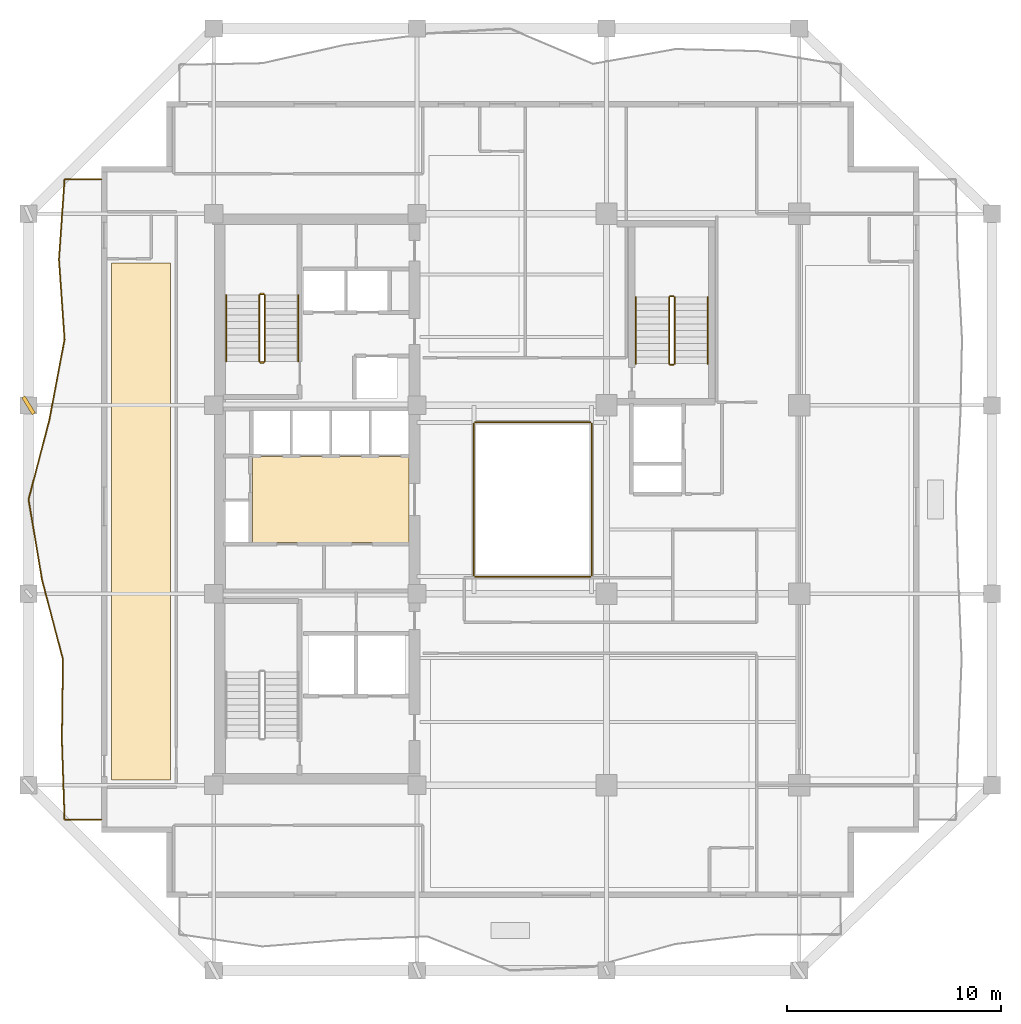
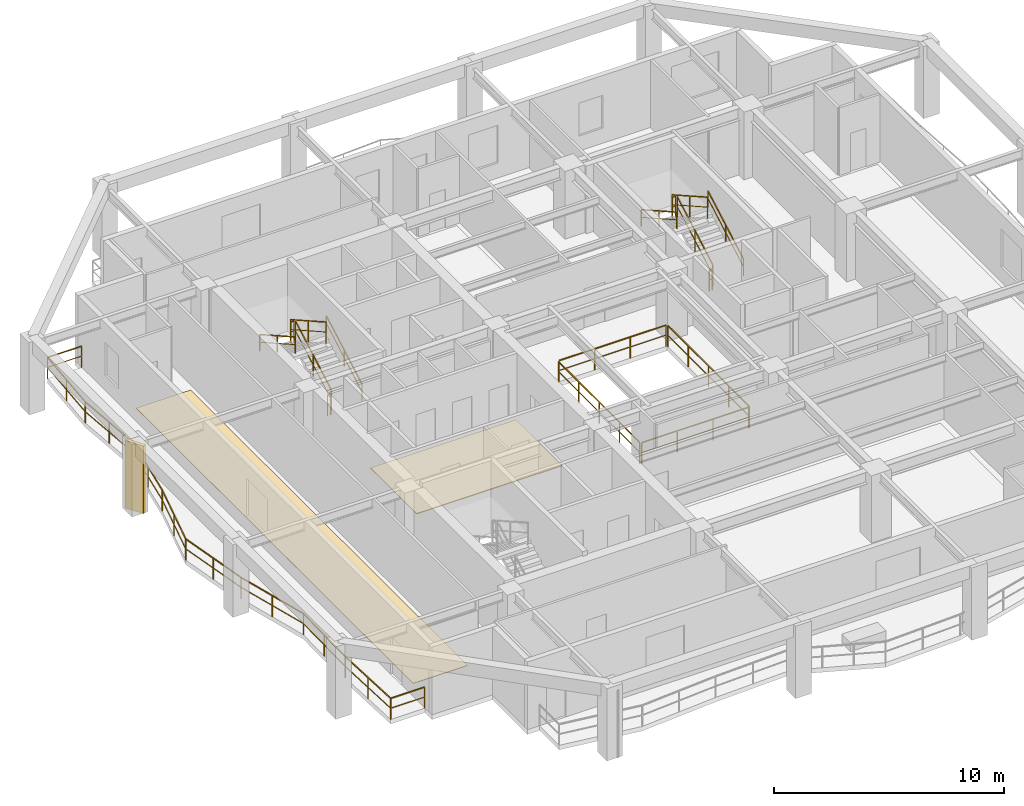
# One storey, part 8 of 10: 17 railings, 2 coverings, 1 shading device.
"""IFC4 building model written with IfcOpenShell, lengths in metres."""

from ifc_helpers import new_model, si_unit, direction, frame, origin, origin_2d, place, context, subcontext, project, spatial, polyline, rectangle, outline, extrude, material, layer, layer_set, type_object, element, save


model = new_model("IFC4")

# Units and contexts
model_context = context("Model", 3, precision=1e-05, world=origin(), true_north=direction((0.0, 1.0)))
body_context = subcontext(model_context, "Body", "Model", "MODEL_VIEW")
ifc_project = project(units=[si_unit("LENGTHUNIT", "METRE"), si_unit("AREAUNIT", "SQUARE_METRE"), si_unit("VOLUMEUNIT", "CUBIC_METRE"), si_unit("PLANEANGLEUNIT", "RADIAN"), si_unit("MASSUNIT", "GRAM", prefix="KILO")], contexts=[model_context])

# Site, building, storey
site_placement = place(None, origin())
site = spatial("IfcSite", under=ifc_project, at=site_placement, CompositionType="ELEMENT")
building_placement = place(site_placement, origin())
building = spatial("IfcBuilding", under=site, at=building_placement, Name="Kundavana Baori Tower", CompositionType="ELEMENT")
storey_placement = place(building_placement, frame((0.0, 0.0, 107.85009765625)))
storey = spatial("IfcBuildingStorey", under=building, at=storey_placement, Name="L25", CompositionType="ELEMENT", Elevation=107.85009765625)

# Coverings
ifc_material_1 = material(Name="Honed Kota Stone and Terrazzo Flooring", Category="masonry")
ifc_layer_1 = layer(ifc_material_1, 0.0400390625, Name="COV-FLR-TERR-40")
ifc_layer_set_1 = layer_set([ifc_layer_1], Name="Honed Kota Stone and Terrazzo Flooring")
covering_type_1 = type_object("IfcCoveringType", Name="COV-FLR-TERR-40", PredefinedType="FLOORING", material=ifc_layer_set_1)
covering_1_placement = place(storey_placement, origin())
element("IfcCovering", 1, at=covering_1_placement, inside=storey, type_object=covering_type_1, Name="L25 Core Lift Lobby Kota Stone Flooring", PredefinedType="FLOORING", context=body_context, shape_type="SweptSolid", body=[
    extrude(outline(polyline([(17.25, 26.580078125), (24.580078125, 26.580078125), (24.580078125, 30.60009765625), (17.25, 30.60009765625), (17.25, 26.580078125)])), origin(), (0.0, 0.0, 1.0), 0.039794921875),
])
ifc_material_2 = material(Name="Honed Kota Stone and Terrazzo Flooring", Category="masonry")
ifc_layer_2 = layer(ifc_material_2, 0.030029296875, Name="COV-INT-FLR")
ifc_layer_set_2 = layer_set([ifc_layer_2], Name="Honed Kota Stone and Terrazzo Flooring")
covering_type_2 = type_object("IfcCoveringType", Name="COV-INT-FLR", PredefinedType="FLOORING", material=ifc_layer_set_2)
covering_2_placement = place(storey_placement, origin())
element("IfcCovering", 2, at=covering_2_placement, inside=storey, type_object=covering_type_2, Name="L25 Room Finished Stone Flooring 1", PredefinedType="FLOORING", context=body_context, shape_type="SweptSolid", body=[
    extrude(outline(polyline([(10.679931640625, 15.5), (13.419921875, 15.5), (13.419921875, 39.64990234375), (10.679931640625, 39.64990234375), (10.679931640625, 15.5)])), origin(), (0.0, 0.0, 1.0), 0.02978515625),
])

# Railings
ifc_material_3 = material(Name="Architectural Patinated Bronze Metalwork")
railing_type_1 = type_object("IfcRailingType", Name="RL-BAL-1150", PredefinedType="BALUSTRADE", material=ifc_material_3)
railing_1_placement = place(storey_placement, frame((10.199951171875, 13.64990234375, 0.0)))
element("IfcRailing", 3, at=railing_1_placement, inside=storey, type_object=railing_type_1, Name="L25 Loggia Balcony Balustrade W", PredefinedType="BALUSTRADE", context=body_context, shape_type="SweptSolid", body=[
    extrude(rectangle(XDim=0.048095703125, YDim=0.048095703125, at=origin_2d()), frame((0.0, 0.0, 1.1259765625), z_axis=(-1.0, 0.0, 0.0), x_axis=(0.0, -1.0, 0.0)), (0.0, 0.0, 1.0), 1.719970703125),
    extrude(rectangle(XDim=0.03125, YDim=0.03125, at=origin_2d()), frame((0.0, 0.0, 0.597900390625), z_axis=(-1.0, 0.0, 0.0), x_axis=(0.0, -1.0, 0.0)), (0.0, 0.0, 1.0), 1.719970703125),
    extrude(rectangle(XDim=0.048095703125, YDim=0.048095703125, at=origin_2d()), frame((-1.719970703125, 0.0, 1.1259765625), z_axis=(-0.034212663327, 0.999414575473, 0.0), x_axis=(-0.999414575473, -0.034212663327, 0.0)), (0.0, 0.0, 1.0), 3.7392578125),
    extrude(rectangle(XDim=0.03125, YDim=0.03125, at=origin_2d()), frame((-1.719970703125, 0.0, 0.597900390625), z_axis=(-0.034212663327, 0.999414575473, 0.0), x_axis=(-0.999414575473, -0.034212663327, 0.0)), (0.0, 0.0, 1.0), 3.7392578125),
    extrude(rectangle(XDim=0.048095703125, YDim=0.048095703125, at=origin_2d()), frame((-1.847900390625, 3.737060546875, 1.1259765625), z_axis=(0.014171393705, 0.999899580758, 0.0), x_axis=(-0.999899580758, 0.014171393705, 0.0)), (0.0, 0.0, 1.0), 3.738525390625),
    extrude(rectangle(XDim=0.03125, YDim=0.03125, at=origin_2d()), frame((-1.847900390625, 3.737060546875, 0.597900390625), z_axis=(0.014171393705, 0.999899580758, 0.0), x_axis=(-0.999899580758, 0.014171393705, 0.0)), (0.0, 0.0, 1.0), 3.738525390625),
    extrude(rectangle(XDim=0.048095703125, YDim=0.048095703125, at=origin_2d()), frame((-1.794921875, 7.47509765625, 1.1259765625), z_axis=(-0.253892955805, 0.967232323174, 0.0), x_axis=(-0.967232323174, -0.253892955805, 0.0)), (0.0, 0.0, 1.0), 3.86376953125),
    extrude(rectangle(XDim=0.03125, YDim=0.03125, at=origin_2d()), frame((-1.794921875, 7.47509765625, 0.597900390625), z_axis=(-0.253892955805, 0.967232323174, 0.0), x_axis=(-0.967232323174, -0.253892955805, 0.0)), (0.0, 0.0, 1.0), 3.86376953125),
    extrude(rectangle(XDim=0.048095703125, YDim=0.048095703125, at=origin_2d()), frame((-2.77587890625, 11.212158203125, 1.1259765625), z_axis=(-0.164660147873, 0.986350361536, 0.0), x_axis=(-0.986350361536, -0.164660147873, 0.0)), (0.0, 0.0, 1.0), 3.789794921875),
    extrude(rectangle(XDim=0.03125, YDim=0.03125, at=origin_2d()), frame((-2.77587890625, 11.212158203125, 0.597900390625), z_axis=(-0.164660147873, 0.986350361536, 0.0), x_axis=(-0.986350361536, -0.164660147873, 0.0)), (0.0, 0.0, 1.0), 3.789794921875),
    extrude(rectangle(XDim=0.048095703125, YDim=0.048095703125, at=origin_2d()), frame((-3.39990234375, 14.9501953125, 1.1259765625), z_axis=(0.252192835957, 0.967676998534, 0.0), x_axis=(-0.967676998534, 0.252192835957, 0.0)), (0.0, 0.0, 1.0), 3.861572265625),
    extrude(rectangle(XDim=0.03125, YDim=0.03125, at=origin_2d()), frame((-3.39990234375, 14.9501953125, 0.597900390625), z_axis=(0.252192835957, 0.967676998534, 0.0), x_axis=(-0.967676998534, 0.252192835957, 0.0)), (0.0, 0.0, 1.0), 3.861572265625),
    extrude(rectangle(XDim=0.048095703125, YDim=0.048095703125, at=origin_2d()), frame((-2.426025390625, 18.68701171875, 1.1259765625), z_axis=(0.185354069741, 0.982671801178, 0.0), x_axis=(-0.982671801178, 0.185354069741, 0.0)), (0.0, 0.0, 1.0), 3.803955078125),
    extrude(rectangle(XDim=0.03125, YDim=0.03125, at=origin_2d()), frame((-2.426025390625, 18.68701171875, 0.597900390625), z_axis=(0.185354069741, 0.982671801178, 0.0), x_axis=(-0.982671801178, 0.185354069741, 0.0)), (0.0, 0.0, 1.0), 3.803955078125),
    extrude(rectangle(XDim=0.048095703125, YDim=0.048095703125, at=origin_2d()), frame((-1.720947265625, 22.425048828125, 1.1259765625), z_axis=(-0.069667642632, 0.997570257962, 0.0), x_axis=(-0.997570257962, -0.069667642632, 0.0)), (0.0, 0.0, 1.0), 3.74609375),
    extrude(rectangle(XDim=0.03125, YDim=0.03125, at=origin_2d()), frame((-1.720947265625, 22.425048828125, 0.597900390625), z_axis=(-0.069667642632, 0.997570257962, 0.0), x_axis=(-0.997570257962, -0.069667642632, 0.0)), (0.0, 0.0, 1.0), 3.74609375),
    extrude(rectangle(XDim=0.048095703125, YDim=0.048095703125, at=origin_2d()), frame((-1.98193359375, 26.162109375, 1.1259765625), z_axis=(0.069908874569, 0.997553381658, 0.0), x_axis=(-0.997553381658, 0.069908874569, 0.0)), (0.0, 0.0, 1.0), 3.747314453125),
    extrude(rectangle(XDim=0.03125, YDim=0.03125, at=origin_2d()), frame((-1.98193359375, 26.162109375, 0.597900390625), z_axis=(0.069908874569, 0.997553381658, 0.0), x_axis=(-0.997553381658, 0.069908874569, 0.0)), (0.0, 0.0, 1.0), 3.747314453125),
    extrude(rectangle(XDim=0.048095703125, YDim=0.048095703125, at=origin_2d()), frame((-1.719970703125, 29.900146484375, 1.1259765625), z_axis=(1.0, 0.0, 0.0), x_axis=(0.0, 1.0, 0.0)), (0.0, 0.0, 1.0), 1.719970703125),
    extrude(rectangle(XDim=0.03125, YDim=0.03125, at=origin_2d()), frame((-1.719970703125, 29.900146484375, 0.597900390625), z_axis=(1.0, 0.0, 0.0), x_axis=(0.0, 1.0, 0.0)), (0.0, 0.0, 1.0), 1.719970703125),
    extrude(rectangle(XDim=0.0419921875, YDim=0.0419921875, at=origin_2d()), origin(), (0.0, 0.0, 1.0), 1.101806640625),
    extrude(rectangle(XDim=0.0419921875, YDim=0.0419921875, at=origin_2d()), frame((-1.719970703125, 0.0, 0.0)), (0.0, 0.0, 1.0), 1.101806640625),
    extrude(rectangle(XDim=0.0419921875, YDim=0.0419921875, at=origin_2d()), frame((-1.783935546875, 1.86865234375, 0.0)), (0.0, 0.0, 1.0), 1.101806640625),
    extrude(rectangle(XDim=0.0419921875, YDim=0.0419921875, at=origin_2d()), frame((-1.847900390625, 3.737060546875, 0.0)), (0.0, 0.0, 1.0), 1.101806640625),
    extrude(rectangle(XDim=0.0419921875, YDim=0.0419921875, at=origin_2d()), frame((-1.8212890625, 5.60595703125, 0.0)), (0.0, 0.0, 1.0), 1.101806640625),
    extrude(rectangle(XDim=0.0419921875, YDim=0.0419921875, at=origin_2d()), frame((-1.794921875, 7.47509765625, 0.0)), (0.0, 0.0, 1.0), 1.101806640625),
    extrude(rectangle(XDim=0.0419921875, YDim=0.0419921875, at=origin_2d()), frame((-2.285400390625, 9.34375, 0.0)), (0.0, 0.0, 1.0), 1.101806640625),
    extrude(rectangle(XDim=0.0419921875, YDim=0.0419921875, at=origin_2d()), frame((-2.77587890625, 11.212158203125, 0.0)), (0.0, 0.0, 1.0), 1.101806640625),
    extrude(rectangle(XDim=0.0419921875, YDim=0.0419921875, at=origin_2d()), frame((-3.087890625, 13.0810546875, 0.0)), (0.0, 0.0, 1.0), 1.101806640625),
    extrude(rectangle(XDim=0.0419921875, YDim=0.0419921875, at=origin_2d()), frame((-3.39990234375, 14.9501953125, 0.0)), (0.0, 0.0, 1.0), 1.101806640625),
    extrude(rectangle(XDim=0.0419921875, YDim=0.0419921875, at=origin_2d()), frame((-2.9130859375, 16.818603515625, 0.0)), (0.0, 0.0, 1.0), 1.101806640625),
    extrude(rectangle(XDim=0.0419921875, YDim=0.0419921875, at=origin_2d()), frame((-2.426025390625, 18.68701171875, 0.0)), (0.0, 0.0, 1.0), 1.101806640625),
    extrude(rectangle(XDim=0.0419921875, YDim=0.0419921875, at=origin_2d()), frame((-2.073486328125, 20.55615234375, 0.0)), (0.0, 0.0, 1.0), 1.101806640625),
    extrude(rectangle(XDim=0.0419921875, YDim=0.0419921875, at=origin_2d()), frame((-1.720947265625, 22.425048828125, 0.0)), (0.0, 0.0, 1.0), 1.101806640625),
    extrude(rectangle(XDim=0.0419921875, YDim=0.0419921875, at=origin_2d()), frame((-1.8515625, 24.29345703125, 0.0)), (0.0, 0.0, 1.0), 1.101806640625),
    extrude(rectangle(XDim=0.0419921875, YDim=0.0419921875, at=origin_2d()), frame((-1.98193359375, 26.162109375, 0.0)), (0.0, 0.0, 1.0), 1.101806640625),
    extrude(rectangle(XDim=0.0419921875, YDim=0.0419921875, at=origin_2d()), frame((-1.85107421875, 28.03125, 0.0)), (0.0, 0.0, 1.0), 1.101806640625),
    extrude(rectangle(XDim=0.0419921875, YDim=0.0419921875, at=origin_2d()), frame((-1.719970703125, 29.900146484375, 0.0)), (0.0, 0.0, 1.0), 1.101806640625),
    extrude(rectangle(XDim=0.0419921875, YDim=0.0419921875, at=origin_2d()), frame((0.0, 29.900146484375, 0.0)), (0.0, 0.0, 1.0), 1.101806640625),
])
ifc_material_4 = material(Name="Architectural Patinated Bronze Metalwork")
railing_type_2 = type_object("IfcRailingType", Name="RL-GRD-1150", PredefinedType="GUARDRAIL", material=ifc_material_4)
railing_2_placement = place(storey_placement, frame((17.840087890625, 35.050048828125, 0.1748046875)))
element("IfcRailing", 4, at=railing_2_placement, inside=storey, type_object=railing_type_2, Name="L25 ST2 stair guard 1", PredefinedType="GUARDRAIL", context=body_context, shape_type="SweptSolid", body=[
    extrude(rectangle(XDim=0.048095703125, YDim=0.048095703125, at=origin_2d()), frame((0.0, 0.0, 1.1259765625), z_axis=(0.0, 0.870814364268, 0.491611984175), x_axis=(-1.0, 0.0, 0.0)), (0.0, 0.0, 1.0), 3.559814453125),
    extrude(rectangle(XDim=0.03125, YDim=0.03125, at=origin_2d()), frame((0.0, 0.0, 0.597900390625), z_axis=(0.0, 0.870814364268, 0.491611984175), x_axis=(-1.0, 0.0, 0.0)), (0.0, 0.0, 1.0), 3.559814453125),
    extrude(rectangle(XDim=0.0419921875, YDim=0.0419921875, at=origin_2d()), origin(), (0.0, 0.0, 1.0), 1.101806640625),
    extrude(rectangle(XDim=0.0419921875, YDim=0.0419921875, at=origin_2d()), frame((0.0, 1.5498046875, 0.875)), (0.0, 0.0, 1.0), 1.101806640625),
    extrude(rectangle(XDim=0.0419921875, YDim=0.0419921875, at=origin_2d()), frame((0.0, 3.099853515625, 1.75)), (0.0, 0.0, 1.0), 1.101806640625),
])
railing_3_placement = place(storey_placement, frame((17.7900390625, 38.199951171875, 1.9248046875)))
element("IfcRailing", 5, at=railing_3_placement, inside=storey, type_object=railing_type_2, Name="L25 ST2 stair guard 2", PredefinedType="GUARDRAIL", context=body_context, shape_type="SweptSolid", body=[
    extrude(rectangle(XDim=0.048095703125, YDim=0.048095703125, at=origin_2d()), frame((0.0, 0.0, 1.1259765625), z_axis=(-1.0, 0.0, 0.0), x_axis=(0.0, -1.0, 0.0)), (0.0, 0.0, 1.0), 0.16015625),
    extrude(rectangle(XDim=0.03125, YDim=0.03125, at=origin_2d()), frame((0.0, 0.0, 0.597900390625), z_axis=(-1.0, 0.0, 0.0), x_axis=(0.0, -1.0, 0.0)), (0.0, 0.0, 1.0), 0.16015625),
    extrude(rectangle(XDim=0.0419921875, YDim=0.0419921875, at=origin_2d()), origin(), (0.0, 0.0, 1.0), 1.101806640625),
    extrude(rectangle(XDim=0.0419921875, YDim=0.0419921875, at=origin_2d()), frame((-0.16015625, 0.0, 0.0)), (0.0, 0.0, 1.0), 1.101806640625),
])
railing_4_placement = place(storey_placement, frame((17.580078125, 38.14990234375, 2.099853515625)))
element("IfcRailing", 6, at=railing_4_placement, inside=storey, type_object=railing_type_2, Name="L25 ST2 stair guard 3", PredefinedType="GUARDRAIL", context=body_context, shape_type="SweptSolid", body=[
    extrude(rectangle(XDim=0.048095703125, YDim=0.048095703125, at=origin_2d()), frame((0.0, 0.0, 1.1259765625), z_axis=(0.0, -0.870814364268, 0.491611984175), x_axis=(1.0, 0.0, 0.0)), (0.0, 0.0, 1.0), 3.559814453125),
    extrude(rectangle(XDim=0.03125, YDim=0.03125, at=origin_2d()), frame((0.0, 0.0, 0.597900390625), z_axis=(0.0, -0.870814364268, 0.491611984175), x_axis=(1.0, 0.0, 0.0)), (0.0, 0.0, 1.0), 3.559814453125),
    extrude(rectangle(XDim=0.0419921875, YDim=0.0419921875, at=origin_2d()), origin(), (0.0, 0.0, 1.0), 1.101806640625),
    extrude(rectangle(XDim=0.0419921875, YDim=0.0419921875, at=origin_2d()), frame((0.0, -1.5498046875, 0.875)), (0.0, 0.0, 1.0), 1.101806640625),
    extrude(rectangle(XDim=0.0419921875, YDim=0.0419921875, at=origin_2d()), frame((0.0, -3.099853515625, 1.75)), (0.0, 0.0, 1.0), 1.101806640625),
])
railing_5_placement = place(storey_placement, frame((17.7900390625, 35.0, 0.0)))
element("IfcRailing", 7, at=railing_5_placement, inside=storey, type_object=railing_type_2, Name="L25 ST2 stair guard 4", PredefinedType="GUARDRAIL", context=body_context, shape_type="SweptSolid", body=[
    extrude(rectangle(XDim=0.048095703125, YDim=0.048095703125, at=origin_2d()), frame((0.0, 0.0, 1.1259765625), z_axis=(-1.0, 0.0, 0.0), x_axis=(0.0, -1.0, 0.0)), (0.0, 0.0, 1.0), 0.16015625),
    extrude(rectangle(XDim=0.03125, YDim=0.03125, at=origin_2d()), frame((0.0, 0.0, 0.597900390625), z_axis=(-1.0, 0.0, 0.0), x_axis=(0.0, -1.0, 0.0)), (0.0, 0.0, 1.0), 0.16015625),
    extrude(rectangle(XDim=0.0419921875, YDim=0.0419921875, at=origin_2d()), origin(), (0.0, 0.0, 1.0), 1.101806640625),
    extrude(rectangle(XDim=0.0419921875, YDim=0.0419921875, at=origin_2d()), frame((-0.16015625, 0.0, 0.0)), (0.0, 0.0, 1.0), 1.101806640625),
])
railing_6_placement = place(storey_placement, frame((36.97998046875, 34.949951171875, 0.1748046875)))
element("IfcRailing", 8, at=railing_6_placement, inside=storey, type_object=railing_type_2, Name="L25 ST3 stair guard 1", PredefinedType="GUARDRAIL", context=body_context, shape_type="SweptSolid", body=[
    extrude(rectangle(XDim=0.048095703125, YDim=0.048095703125, at=origin_2d()), frame((0.0, 0.0, 1.1259765625), z_axis=(0.0, 0.870830938388, 0.491582624537), x_axis=(-1.0, 0.0, 0.0)), (0.0, 0.0, 1.0), 3.559814453125),
    extrude(rectangle(XDim=0.03125, YDim=0.03125, at=origin_2d()), frame((0.0, 0.0, 0.597900390625), z_axis=(0.0, 0.870830938388, 0.491582624537), x_axis=(-1.0, 0.0, 0.0)), (0.0, 0.0, 1.0), 3.559814453125),
    extrude(rectangle(XDim=0.0419921875, YDim=0.0419921875, at=origin_2d()), origin(), (0.0, 0.0, 1.0), 1.101806640625),
    extrude(rectangle(XDim=0.0419921875, YDim=0.0419921875, at=origin_2d()), frame((0.0, 1.550048828125, 0.875)), (0.0, 0.0, 1.0), 1.101806640625),
    extrude(rectangle(XDim=0.0419921875, YDim=0.0419921875, at=origin_2d()), frame((0.0, 3.10009765625, 1.75)), (0.0, 0.0, 1.0), 1.101806640625),
])
railing_7_placement = place(storey_placement, frame((36.929931640625, 38.10009765625, 1.9248046875)))
element("IfcRailing", 9, at=railing_7_placement, inside=storey, type_object=railing_type_2, Name="L25 ST3 stair guard 2", PredefinedType="GUARDRAIL", context=body_context, shape_type="SweptSolid", body=[
    extrude(rectangle(XDim=0.048095703125, YDim=0.048095703125, at=origin_2d()), frame((0.0, 0.0, 1.1259765625), z_axis=(-1.0, 0.0, 0.0), x_axis=(0.0, -1.0, 0.0)), (0.0, 0.0, 1.0), 0.159912109375),
    extrude(rectangle(XDim=0.03125, YDim=0.03125, at=origin_2d()), frame((0.0, 0.0, 0.597900390625), z_axis=(-1.0, 0.0, 0.0), x_axis=(0.0, -1.0, 0.0)), (0.0, 0.0, 1.0), 0.159912109375),
    extrude(rectangle(XDim=0.0419921875, YDim=0.0419921875, at=origin_2d()), origin(), (0.0, 0.0, 1.0), 1.101806640625),
    extrude(rectangle(XDim=0.0419921875, YDim=0.0419921875, at=origin_2d()), frame((-0.159912109375, 0.0, 0.0)), (0.0, 0.0, 1.0), 1.101806640625),
])
railing_8_placement = place(storey_placement, frame((36.719970703125, 38.050048828125, 2.099853515625)))
element("IfcRailing", 10, at=railing_8_placement, inside=storey, type_object=railing_type_2, Name="L25 ST3 stair guard 3", PredefinedType="GUARDRAIL", context=body_context, shape_type="SweptSolid", body=[
    extrude(rectangle(XDim=0.048095703125, YDim=0.048095703125, at=origin_2d()), frame((0.0, 0.0, 1.1259765625), z_axis=(0.0, -0.870830938388, 0.491582624537), x_axis=(1.0, 0.0, 0.0)), (0.0, 0.0, 1.0), 3.559814453125),
    extrude(rectangle(XDim=0.03125, YDim=0.03125, at=origin_2d()), frame((0.0, 0.0, 0.597900390625), z_axis=(0.0, -0.870830938388, 0.491582624537), x_axis=(1.0, 0.0, 0.0)), (0.0, 0.0, 1.0), 3.559814453125),
    extrude(rectangle(XDim=0.0419921875, YDim=0.0419921875, at=origin_2d()), origin(), (0.0, 0.0, 1.0), 1.101806640625),
    extrude(rectangle(XDim=0.0419921875, YDim=0.0419921875, at=origin_2d()), frame((0.0, -1.550048828125, 0.875)), (0.0, 0.0, 1.0), 1.101806640625),
    extrude(rectangle(XDim=0.0419921875, YDim=0.0419921875, at=origin_2d()), frame((0.0, -3.10009765625, 1.75)), (0.0, 0.0, 1.0), 1.101806640625),
])
railing_9_placement = place(storey_placement, frame((36.929931640625, 34.89990234375, 0.0)))
element("IfcRailing", 11, at=railing_9_placement, inside=storey, type_object=railing_type_2, Name="L25 ST3 stair guard 4", PredefinedType="GUARDRAIL", context=body_context, shape_type="SweptSolid", body=[
    extrude(rectangle(XDim=0.048095703125, YDim=0.048095703125, at=origin_2d()), frame((0.0, 0.0, 1.1259765625), z_axis=(-1.0, 0.0, 0.0), x_axis=(0.0, -1.0, 0.0)), (0.0, 0.0, 1.0), 0.159912109375),
    extrude(rectangle(XDim=0.03125, YDim=0.03125, at=origin_2d()), frame((0.0, 0.0, 0.597900390625), z_axis=(-1.0, 0.0, 0.0), x_axis=(0.0, -1.0, 0.0)), (0.0, 0.0, 1.0), 0.159912109375),
    extrude(rectangle(XDim=0.0419921875, YDim=0.0419921875, at=origin_2d()), origin(), (0.0, 0.0, 1.0), 1.101806640625),
    extrude(rectangle(XDim=0.0419921875, YDim=0.0419921875, at=origin_2d()), frame((-0.159912109375, 0.0, 0.0)), (0.0, 0.0, 1.0), 1.101806640625),
])
railing_10_placement = place(storey_placement, frame((27.659912109375, 25.0, 0.0)))
element("IfcRailing", 12, at=railing_10_placement, inside=storey, type_object=railing_type_2, Name="L25 Atrium Void Perimeter Guardrail S", PredefinedType="GUARDRAIL", context=body_context, shape_type="SweptSolid", body=[
    extrude(rectangle(XDim=0.048095703125, YDim=0.048095703125, at=origin_2d()), frame((0.0, 0.0, 1.1259765625), z_axis=(1.0, 0.0, 0.0), x_axis=(0.0, 1.0, 0.0)), (0.0, 0.0, 1.0), 5.380126953125),
    extrude(rectangle(XDim=0.03125, YDim=0.03125, at=origin_2d()), frame((0.0, 0.0, 0.597900390625), z_axis=(1.0, 0.0, 0.0), x_axis=(0.0, 1.0, 0.0)), (0.0, 0.0, 1.0), 5.380126953125),
    extrude(rectangle(XDim=0.0419921875, YDim=0.0419921875, at=origin_2d()), origin(), (0.0, 0.0, 1.0), 1.101806640625),
    extrude(rectangle(XDim=0.0419921875, YDim=0.0419921875, at=origin_2d()), frame((1.79345703125, 0.0, 0.0)), (0.0, 0.0, 1.0), 1.101806640625),
    extrude(rectangle(XDim=0.0419921875, YDim=0.0419921875, at=origin_2d()), frame((3.586669921875, 0.0, 0.0)), (0.0, 0.0, 1.0), 1.101806640625),
    extrude(rectangle(XDim=0.0419921875, YDim=0.0419921875, at=origin_2d()), frame((5.380126953125, 0.0, 0.0)), (0.0, 0.0, 1.0), 1.101806640625),
])
railing_11_placement = place(storey_placement, frame((33.10009765625, 25.06005859375, 0.0)))
element("IfcRailing", 13, at=railing_11_placement, inside=storey, type_object=railing_type_2, Name="L25 Atrium Void Perimeter Guardrail E", PredefinedType="GUARDRAIL", context=body_context, shape_type="SweptSolid", body=[
    extrude(rectangle(XDim=0.048095703125, YDim=0.048095703125, at=origin_2d()), frame((0.0, 0.0, 1.1259765625), z_axis=(0.0, 1.0, 0.0), x_axis=(-1.0, 0.0, 0.0)), (0.0, 0.0, 1.0), 7.079833984375),
    extrude(rectangle(XDim=0.03125, YDim=0.03125, at=origin_2d()), frame((0.0, 0.0, 0.597900390625), z_axis=(0.0, 1.0, 0.0), x_axis=(-1.0, 0.0, 0.0)), (0.0, 0.0, 1.0), 7.079833984375),
    extrude(rectangle(XDim=0.0419921875, YDim=0.0419921875, at=origin_2d()), origin(), (0.0, 0.0, 1.0), 1.101806640625),
    extrude(rectangle(XDim=0.0419921875, YDim=0.0419921875, at=origin_2d()), frame((0.0, 1.77001953125, 0.0)), (0.0, 0.0, 1.0), 1.101806640625),
    extrude(rectangle(XDim=0.0419921875, YDim=0.0419921875, at=origin_2d()), frame((0.0, 3.5400390625, 0.0)), (0.0, 0.0, 1.0), 1.101806640625),
    extrude(rectangle(XDim=0.0419921875, YDim=0.0419921875, at=origin_2d()), frame((0.0, 5.309814453125, 0.0)), (0.0, 0.0, 1.0), 1.101806640625),
    extrude(rectangle(XDim=0.0419921875, YDim=0.0419921875, at=origin_2d()), frame((0.0, 7.079833984375, 0.0)), (0.0, 0.0, 1.0), 1.101806640625),
])
railing_12_placement = place(storey_placement, frame((33.0400390625, 32.199951171875, 0.0)))
element("IfcRailing", 14, at=railing_12_placement, inside=storey, type_object=railing_type_2, Name="L25 Atrium Void Perimeter Guardrail N", PredefinedType="GUARDRAIL", context=body_context, shape_type="SweptSolid", body=[
    extrude(rectangle(XDim=0.048095703125, YDim=0.048095703125, at=origin_2d()), frame((0.0, 0.0, 1.1259765625), z_axis=(-1.0, 0.0, 0.0), x_axis=(0.0, -1.0, 0.0)), (0.0, 0.0, 1.0), 5.380126953125),
    extrude(rectangle(XDim=0.03125, YDim=0.03125, at=origin_2d()), frame((0.0, 0.0, 0.597900390625), z_axis=(-1.0, 0.0, 0.0), x_axis=(0.0, -1.0, 0.0)), (0.0, 0.0, 1.0), 5.380126953125),
    extrude(rectangle(XDim=0.0419921875, YDim=0.0419921875, at=origin_2d()), origin(), (0.0, 0.0, 1.0), 1.101806640625),
    extrude(rectangle(XDim=0.0419921875, YDim=0.0419921875, at=origin_2d()), frame((-1.79345703125, 0.0, 0.0)), (0.0, 0.0, 1.0), 1.101806640625),
    extrude(rectangle(XDim=0.0419921875, YDim=0.0419921875, at=origin_2d()), frame((-3.586669921875, 0.0, 0.0)), (0.0, 0.0, 1.0), 1.101806640625),
    extrude(rectangle(XDim=0.0419921875, YDim=0.0419921875, at=origin_2d()), frame((-5.380126953125, 0.0, 0.0)), (0.0, 0.0, 1.0), 1.101806640625),
])
railing_13_placement = place(storey_placement, frame((27.60009765625, 32.139892578125, 0.0)))
element("IfcRailing", 15, at=railing_13_placement, inside=storey, type_object=railing_type_2, Name="L25 Atrium Void Perimeter Guardrail W", PredefinedType="GUARDRAIL", context=body_context, shape_type="SweptSolid", body=[
    extrude(rectangle(XDim=0.048095703125, YDim=0.048095703125, at=origin_2d()), frame((0.0, 0.0, 1.1259765625), z_axis=(0.0, -1.0, 0.0), x_axis=(1.0, 0.0, 0.0)), (0.0, 0.0, 1.0), 7.079833984375),
    extrude(rectangle(XDim=0.03125, YDim=0.03125, at=origin_2d()), frame((0.0, 0.0, 0.597900390625), z_axis=(0.0, -1.0, 0.0), x_axis=(1.0, 0.0, 0.0)), (0.0, 0.0, 1.0), 7.079833984375),
    extrude(rectangle(XDim=0.0419921875, YDim=0.0419921875, at=origin_2d()), origin(), (0.0, 0.0, 1.0), 1.101806640625),
    extrude(rectangle(XDim=0.0419921875, YDim=0.0419921875, at=origin_2d()), frame((0.0, -1.77001953125, 0.0)), (0.0, 0.0, 1.0), 1.101806640625),
    extrude(rectangle(XDim=0.0419921875, YDim=0.0419921875, at=origin_2d()), frame((0.0, -3.5400390625, 0.0)), (0.0, 0.0, 1.0), 1.101806640625),
    extrude(rectangle(XDim=0.0419921875, YDim=0.0419921875, at=origin_2d()), frame((0.0, -5.309814453125, 0.0)), (0.0, 0.0, 1.0), 1.101806640625),
    extrude(rectangle(XDim=0.0419921875, YDim=0.0419921875, at=origin_2d()), frame((0.0, -7.079833984375, 0.0)), (0.0, 0.0, 1.0), 1.101806640625),
])
ifc_material_5 = material(Name="Architectural Patinated Bronze Metalwork")
railing_type_3 = type_object("IfcRailingType", Name="RL-HND-920", PredefinedType="HANDRAIL", material=ifc_material_5)
railing_14_placement = place(storey_placement, frame((19.389892578125, 35.050048828125, 0.1748046875)))
element("IfcRailing", 16, at=railing_14_placement, inside=storey, type_object=railing_type_3, Name="L25 ST2 stair handrail 1", PredefinedType="HANDRAIL", context=body_context, shape_type="SweptSolid", body=[
    extrude(rectangle(XDim=0.048095703125, YDim=0.048095703125, at=origin_2d()), frame((0.0, 0.0, 0.8759765625), z_axis=(0.0, 0.870814364268, 0.491611984175), x_axis=(-1.0, 0.0, 0.0)), (0.0, 0.0, 1.0), 3.559814453125),
    extrude(rectangle(XDim=0.03125, YDim=0.03125, at=origin_2d()), frame((0.0, 0.0, 0.468017578125), z_axis=(0.0, 0.870814364268, 0.491611984175), x_axis=(-1.0, 0.0, 0.0)), (0.0, 0.0, 1.0), 3.559814453125),
    extrude(rectangle(XDim=0.0419921875, YDim=0.0419921875, at=origin_2d()), origin(), (0.0, 0.0, 1.0), 0.851806640625),
    extrude(rectangle(XDim=0.0419921875, YDim=0.0419921875, at=origin_2d()), frame((0.0, 1.5498046875, 0.875)), (0.0, 0.0, 1.0), 0.851806640625),
    extrude(rectangle(XDim=0.0419921875, YDim=0.0419921875, at=origin_2d()), frame((0.0, 3.099853515625, 1.75)), (0.0, 0.0, 1.0), 0.851806640625),
])
railing_15_placement = place(storey_placement, frame((16.030029296875, 38.14990234375, 2.099853515625)))
element("IfcRailing", 17, at=railing_15_placement, inside=storey, type_object=railing_type_3, Name="L25 ST2 stair handrail 2", PredefinedType="HANDRAIL", context=body_context, shape_type="SweptSolid", body=[
    extrude(rectangle(XDim=0.048095703125, YDim=0.048095703125, at=origin_2d()), frame((0.0, 0.0, 0.8759765625), z_axis=(0.0, -0.870814364268, 0.491611984175), x_axis=(1.0, 0.0, 0.0)), (0.0, 0.0, 1.0), 3.559814453125),
    extrude(rectangle(XDim=0.03125, YDim=0.03125, at=origin_2d()), frame((0.0, 0.0, 0.468017578125), z_axis=(0.0, -0.870814364268, 0.491611984175), x_axis=(1.0, 0.0, 0.0)), (0.0, 0.0, 1.0), 3.559814453125),
    extrude(rectangle(XDim=0.0419921875, YDim=0.0419921875, at=origin_2d()), origin(), (0.0, 0.0, 1.0), 0.851806640625),
    extrude(rectangle(XDim=0.0419921875, YDim=0.0419921875, at=origin_2d()), frame((0.0, -1.5498046875, 0.875)), (0.0, 0.0, 1.0), 0.851806640625),
    extrude(rectangle(XDim=0.0419921875, YDim=0.0419921875, at=origin_2d()), frame((0.0, -3.099853515625, 1.75)), (0.0, 0.0, 1.0), 0.851806640625),
])
railing_16_placement = place(storey_placement, frame((38.530029296875, 34.949951171875, 0.1748046875)))
element("IfcRailing", 18, at=railing_16_placement, inside=storey, type_object=railing_type_3, Name="L25 ST3 stair handrail 1", PredefinedType="HANDRAIL", context=body_context, shape_type="SweptSolid", body=[
    extrude(rectangle(XDim=0.048095703125, YDim=0.048095703125, at=origin_2d()), frame((0.0, 0.0, 0.8759765625), z_axis=(0.0, 0.870830938388, 0.491582624537), x_axis=(-1.0, 0.0, 0.0)), (0.0, 0.0, 1.0), 3.559814453125),
    extrude(rectangle(XDim=0.03125, YDim=0.03125, at=origin_2d()), frame((0.0, 0.0, 0.468017578125), z_axis=(0.0, 0.870830938388, 0.491582624537), x_axis=(-1.0, 0.0, 0.0)), (0.0, 0.0, 1.0), 3.559814453125),
    extrude(rectangle(XDim=0.0419921875, YDim=0.0419921875, at=origin_2d()), origin(), (0.0, 0.0, 1.0), 0.851806640625),
    extrude(rectangle(XDim=0.0419921875, YDim=0.0419921875, at=origin_2d()), frame((0.0, 1.550048828125, 0.875)), (0.0, 0.0, 1.0), 0.851806640625),
    extrude(rectangle(XDim=0.0419921875, YDim=0.0419921875, at=origin_2d()), frame((0.0, 3.10009765625, 1.75)), (0.0, 0.0, 1.0), 0.851806640625),
])
railing_17_placement = place(storey_placement, frame((35.169921875, 38.050048828125, 2.099853515625)))
element("IfcRailing", 19, at=railing_17_placement, inside=storey, type_object=railing_type_3, Name="L25 ST3 stair handrail 2", PredefinedType="HANDRAIL", context=body_context, shape_type="SweptSolid", body=[
    extrude(rectangle(XDim=0.048095703125, YDim=0.048095703125, at=origin_2d()), frame((0.0, 0.0, 0.8759765625), z_axis=(0.0, -0.870830938388, 0.491582624537), x_axis=(1.0, 0.0, 0.0)), (0.0, 0.0, 1.0), 3.559814453125),
    extrude(rectangle(XDim=0.03125, YDim=0.03125, at=origin_2d()), frame((0.0, 0.0, 0.468017578125), z_axis=(0.0, -0.870830938388, 0.491582624537), x_axis=(1.0, 0.0, 0.0)), (0.0, 0.0, 1.0), 3.559814453125),
    extrude(rectangle(XDim=0.0419921875, YDim=0.0419921875, at=origin_2d()), origin(), (0.0, 0.0, 1.0), 0.851806640625),
    extrude(rectangle(XDim=0.0419921875, YDim=0.0419921875, at=origin_2d()), frame((0.0, -1.550048828125, 0.875)), (0.0, 0.0, 1.0), 0.851806640625),
    extrude(rectangle(XDim=0.0419921875, YDim=0.0419921875, at=origin_2d()), frame((0.0, -3.10009765625, 1.75)), (0.0, 0.0, 1.0), 0.851806640625),
])

# Shading device
ifc_material_6 = material(Name="Red-Buff Dholpur Sandstone Cladding on Concrete C40/50", Category="masonry")
shading_device_type = type_object("IfcShadingDeviceType", Name="SHD-FIN-920", PredefinedType="JALOUSIE", material=ifc_material_6)
shading_device_placement = place(storey_placement, frame((6.800048828125, 33.0, -0.000244140625), z_axis=(0.0, 0.0, 1.0), x_axis=(0.851909787835, 0.523688565266, 0.0)))
element("IfcShadingDevice", 20, at=shading_device_placement, inside=storey, type_object=shading_device_type, Name="L25 Sweeping Dholpur Sandstone Facade Fin 7", PredefinedType="JALOUSIE", context=body_context, shape_type="SweptSolid", body=[
    extrude(rectangle(XDim=0.179931640625, YDim=0.919921875, at=origin_2d()), origin(), (0.0, 0.0, 1.0), 3.60009765625),
])

save(model, "model.ifc")
